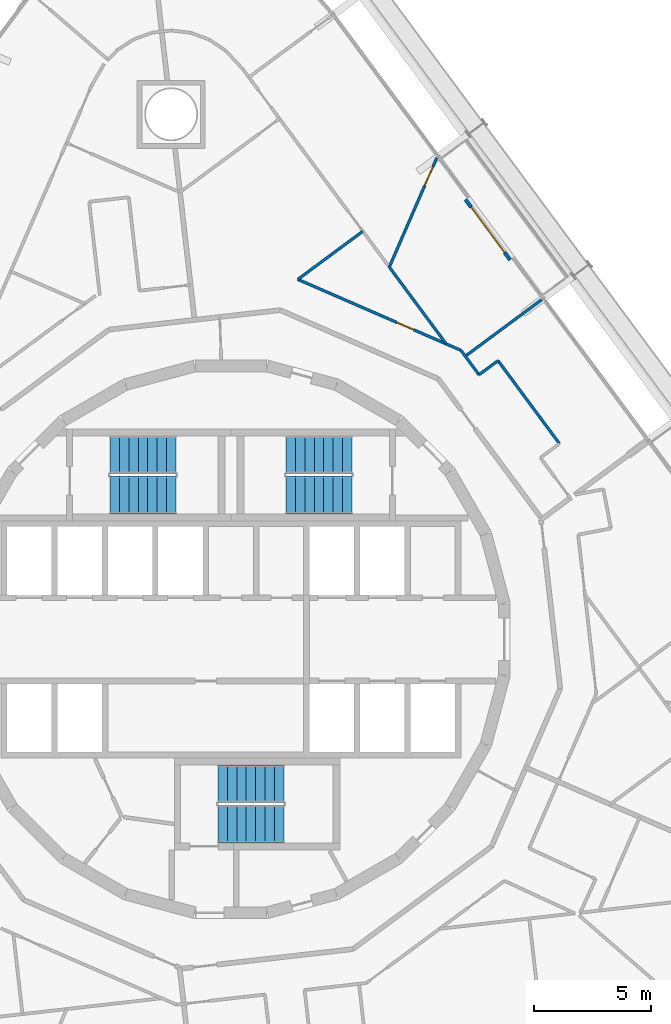
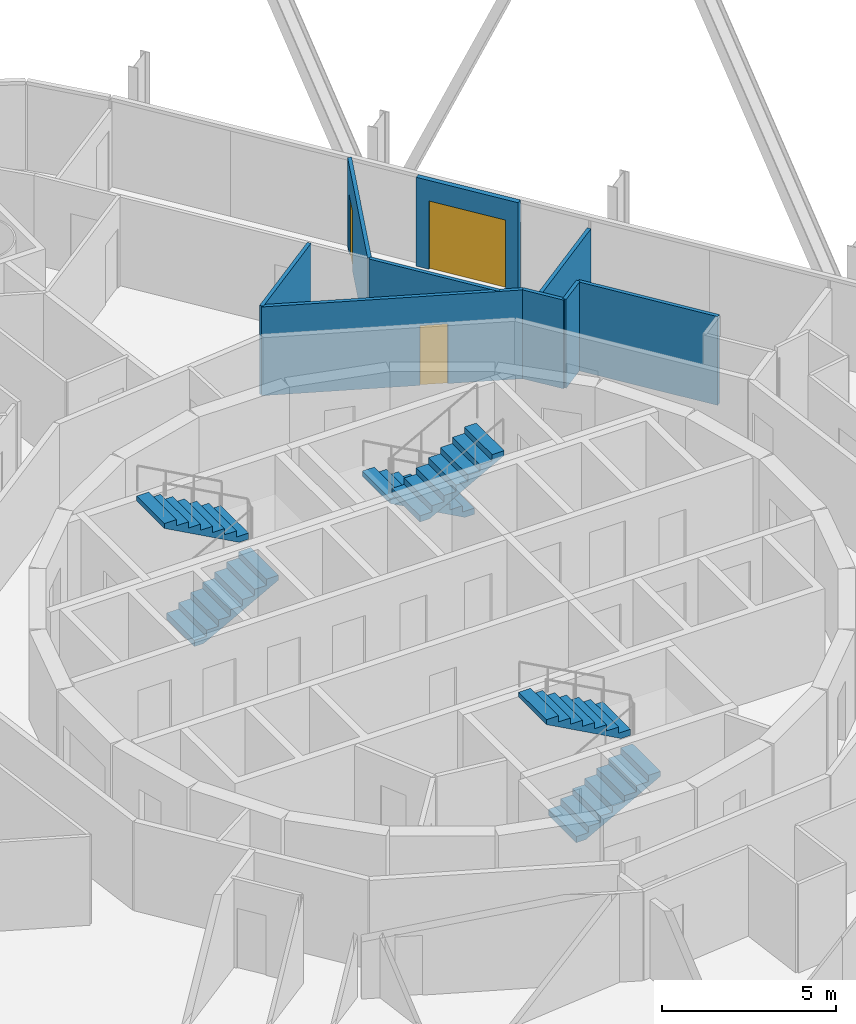
# One storey, part 22 of 23: 9 walls, 6 stair flights, 3 doors, 3 openings, 3 elements without a shape of their own.
"""IFC4 building model written with IfcOpenShell, lengths in metres."""

from ifc_helpers import new_model, si_unit, direction, frame, frame_2d, origin, place, context, subcontext, project, spatial, polyline, rectangle, outline, extrude, material, layer, layer_set, type_object, element, fill, aggregate, save


model = new_model("IFC4")

# Units and contexts
model_context = context("Model", 3, precision=1e-05, world=origin(), true_north=direction((0.0, 1.0)))
body_context = subcontext(model_context, "Body", "Model", "MODEL_VIEW")
ifc_project = project(units=[si_unit("LENGTHUNIT", "METRE"), si_unit("AREAUNIT", "SQUARE_METRE"), si_unit("VOLUMEUNIT", "CUBIC_METRE"), si_unit("PLANEANGLEUNIT", "RADIAN"), si_unit("MASSUNIT", "GRAM", prefix="KILO")], contexts=[model_context])

# Site, building, storey
site_placement = place(None, origin())
site = spatial("IfcSite", under=ifc_project, at=site_placement, CompositionType="ELEMENT")
building_placement = place(site_placement, origin())
building = spatial("IfcBuilding", under=site, at=building_placement, Name="Spindle Arch Residences", CompositionType="ELEMENT")
storey_placement = place(building_placement, frame((0.0, 0.0, 90.699951171875)))
storey = spatial("IfcBuildingStorey", under=building, at=storey_placement, Name="L21", CompositionType="ELEMENT", Elevation=90.699951171875)

# Walls
ifc_material_1 = material(Name="Plasterboard on steel studs", Category="steel")
ifc_layer_1 = layer(ifc_material_1, 0.1201171875)
ifc_layer_set_1 = layer_set([ifc_layer_1], Name="Flat partition 120")
wall_type_1 = type_object("IfcWallType", Name="Flat partition 120", PredefinedType="PARTITIONING", material=ifc_layer_set_1)
wall_1_placement = place(storey_placement, frame((13.9951171875, 8.335693359375, 0.0), z_axis=(0.0, 0.0, 1.0), x_axis=(-0.59480284986, 0.803871612758, 0.0)))
element("IfcWall", 1, at=wall_1_placement, inside=storey, type_object=wall_type_1, Name="Flat partition R2B0-W030", PredefinedType="PARTITIONING", context=body_context, shape_type="SweptSolid", body=[
    extrude(rectangle(XDim=4.400146484375, YDim=0.1201171875, at=frame_2d((2.2001953125, 0.0))), origin(), (0.0, 0.0, 1.0), 3.1201171875),
])
wall_2_placement = place(storey_placement, frame((11.3779296875, 11.872802734375, 0.0), z_axis=(0.0, 0.0, 1.0), x_axis=(-0.803818744753, -0.594874293934, 0.0)))
element("IfcWall", 2, at=wall_2_placement, inside=storey, type_object=wall_type_1, Name="Flat partition R2B0-W031", PredefinedType="PARTITIONING", context=body_context, shape_type="SweptSolid", body=[
    extrude(rectangle(XDim=1.00830078125, YDim=0.1201171875, at=frame_2d((0.504150390625, 0.0))), origin(), (0.0, 0.0, 1.0), 3.1201171875),
])
wall_3_placement = place(storey_placement, frame((10.5673828125, 11.27294921875, 0.0), z_axis=(0.0, 0.0, 1.0), x_axis=(-0.594957357743, 0.803757265888, 0.0)))
element("IfcWall", 3, at=wall_3_placement, inside=storey, type_object=wall_type_1, Name="Flat partition R2B0-W032", PredefinedType="PARTITIONING", context=body_context, shape_type="SweptSolid", body=[
    extrude(rectangle(XDim=1.296630859375, YDim=0.1201171875, at=frame_2d((0.6484375, 0.0))), origin(), (0.0, 0.0, 1.0), 3.1201171875),
])

# Wall, opening, door
wall_4_placement = place(storey_placement, frame((9.7958984375, 12.315185546875, 0.0), z_axis=(0.0, 0.0, 1.0), x_axis=(-0.917053660722, 0.398763819017, 0.0)))
wall_4 = element("IfcWall", 4, at=wall_4_placement, inside=storey, type_object=wall_type_1, Name="Flat partition R2B0-W033", PredefinedType="PARTITIONING", context=body_context, shape_type="SweptSolid", body=[
    extrude(rectangle(XDim=7.575927734375, YDim=0.1201171875, at=frame_2d((3.7880859375, 0.0))), origin(), (0.0, 0.0, 1.0), 3.1201171875),
])
opening_1_placement = place(wall_4_placement, frame((2.184814453125, 0.0, 0.0)))
opening_1 = element("IfcOpeningElement", 5, at=opening_1_placement, cuts=wall_4, Name="Opening R2B0-BD01", PredefinedType="OPENING", context=body_context, shape_type="SweptSolid", body=[
    extrude(rectangle(XDim=0.800048828125, YDim=2.10009765625, at=frame_2d((0.39990234375, 1.050048828125))), frame((0.0, 0.070068359375, 0.0), z_axis=(0.0, -1.0, 0.0), x_axis=(1.0, 0.0, 0.0)), (0.0, 0.0, 1.0), 0.14013671875),
])
ifc_material_2 = material(Name="Timber door set", Category="wood")
door_type_1 = type_object("IfcDoorType", Name="Bathroom door 800x2100", OperationType="NOTDEFINED", PredefinedType="DOOR", material=ifc_material_2)
door_1_placement = place(opening_1_placement, origin())
door_1 = element("IfcDoor", 6, at=door_1_placement, inside=storey, type_object=door_type_1, Name="Bathroom door R2B0-BD01", OperationType="SINGLE_SWING_RIGHT", OverallHeight=2.10009765625, OverallWidth=0.800048828125, PredefinedType="DOOR", context=body_context, shape_type="SweptSolid", body=[
    extrude(rectangle(XDim=0.800048828125, YDim=2.10009765625, at=frame_2d((0.39990234375, 1.050048828125))), frame((0.0, 0.02490234375, 0.0), z_axis=(0.0, -1.0, 0.0), x_axis=(1.0, 0.0, 0.0)), (0.0, 0.0, 1.0), 0.050048828125),
])
fill(opening_1, door_1)

# Walls
wall_5_placement = place(storey_placement, frame((2.848388671875, 15.336181640625, 0.0), z_axis=(0.0, 0.0, 1.0), x_axis=(0.803852063114, 0.59482927015, 0.0)))
element("IfcWall", 7, at=wall_5_placement, inside=storey, type_object=wall_type_1, Name="Flat partition R2B0-W034", PredefinedType="PARTITIONING", context=body_context, shape_type="SweptSolid", body=[
    extrude(rectangle(XDim=3.445556640625, YDim=0.1201171875, at=frame_2d((1.72265625, 0.0))), origin(), (0.0, 0.0, 1.0), 3.1201171875),
])
wall_6_placement = place(storey_placement, frame((6.745849609375, 15.861572265625, 0.0), z_axis=(0.0, 0.0, 1.0), x_axis=(0.594836031811, -0.80384705962, 0.0)))
element("IfcWall", 8, at=wall_6_placement, inside=storey, type_object=wall_type_1, Name="Flat partition R2B0-W038", PredefinedType="PARTITIONING", context=body_context, shape_type="SweptSolid", body=[
    extrude(rectangle(XDim=4.072021484375, YDim=0.1201171875, at=frame_2d((2.0361328125, 0.0))), origin(), (0.0, 0.0, 1.0), 3.1201171875),
])

# Wall, opening, door
wall_7_placement = place(storey_placement, frame((8.771728515625, 20.52099609375, 0.0), z_axis=(0.0, 0.0, 1.0), x_axis=(-0.398733139635, -0.917067000473, 0.0)))
wall_7 = element("IfcWall", 9, at=wall_7_placement, inside=storey, type_object=wall_type_1, Name="Flat partition R2B0-W039", PredefinedType="PARTITIONING", context=body_context, shape_type="SweptSolid", body=[
    extrude(rectangle(XDim=5.080810546875, YDim=0.1201171875, at=frame_2d((2.54052734375, 0.0))), origin(), (0.0, 0.0, 1.0), 3.1201171875),
])
opening_2_placement = place(wall_7_placement, frame((0.39990234375, 0.0, 0.0)))
opening_2 = element("IfcOpeningElement", 10, at=opening_2_placement, cuts=wall_7, Name="Opening R2B0-ID04", PredefinedType="OPENING", context=body_context, shape_type="SweptSolid", body=[
    extrude(rectangle(XDim=0.89990234375, YDim=2.10009765625, at=frame_2d((0.449951171875, 1.050048828125))), frame((0.0, 0.070068359375, 0.0), z_axis=(0.0, -1.0, 0.0), x_axis=(1.0, 0.0, 0.0)), (0.0, 0.0, 1.0), 0.14013671875),
])
ifc_material_3 = material(Name="Timber door set", Category="wood")
door_type_2 = type_object("IfcDoorType", Name="Room door 900x2100", OperationType="NOTDEFINED", PredefinedType="DOOR", material=ifc_material_3)
door_2_placement = place(opening_2_placement, origin())
door_2 = element("IfcDoor", 11, at=door_2_placement, inside=storey, type_object=door_type_2, Name="Room door R2B0-ID04", OperationType="SINGLE_SWING_LEFT", OverallHeight=2.10009765625, OverallWidth=0.89990234375, PredefinedType="DOOR", context=body_context, shape_type="SweptSolid", body=[
    extrude(rectangle(XDim=0.89990234375, YDim=2.10009765625, at=frame_2d((0.449951171875, 1.050048828125))), frame((0.0, 0.02490234375, 0.0), z_axis=(0.0, -1.0, 0.0), x_axis=(1.0, 0.0, 0.0)), (0.0, 0.0, 1.0), 0.050048828125),
])
fill(opening_2, door_2)

# Wall
ifc_material_4 = material(Name="Plasterboard on steel studs", Category="steel")
ifc_layer_2 = layer(ifc_material_4, 0.1201171875)
ifc_layer_set_2 = layer_set([ifc_layer_2], Name="Flat partition 120 under beam 2730")
wall_type_2 = type_object("IfcWallType", Name="Flat partition 120 under beam 2730", PredefinedType="PARTITIONING", material=ifc_layer_set_2)
wall_8_placement = place(storey_placement, frame((13.244140625, 14.476806640625, 0.0), z_axis=(0.0, 0.0, 1.0), x_axis=(-0.803853407146, -0.594827453821, 0.0)))
element("IfcWall", 12, at=wall_8_placement, inside=storey, type_object=wall_type_2, Name="Flat partition R2B0-W037", PredefinedType="PARTITIONING", context=body_context, shape_type="SweptSolid", body=[
    extrude(rectangle(XDim=4.0576171875, YDim=0.1201171875, at=frame_2d((2.02880859375, 0.0))), origin(), (0.0, 0.0, 1.0), 2.72998046875),
])

# Wall, opening, door
ifc_material_5 = material(Name="Non-combustible mineral wool insulated aluminium faced external wall (K0)", Category="aluminium")
ifc_layer_3 = layer(ifc_material_5, 0.159912109375)
ifc_layer_set_3 = layer_set([ifc_layer_3], Name="Insulated external wall panel 160")
wall_type_3 = type_object("IfcWallType", Name="Insulated external wall panel 160", PredefinedType="STANDARD", material=ifc_layer_set_3)
wall_9_placement = place(storey_placement, frame((11.895263671875, 16.1650390625, 0.0), z_axis=(0.0, 0.0, 1.0), x_axis=(-0.594774973163, 0.803892238611, 0.0)))
wall_9 = element("IfcWall", 13, at=wall_9_placement, inside=storey, type_object=wall_type_3, Name="External wall L21 bay 9", PredefinedType="STANDARD", context=body_context, shape_type="SweptSolid", body=[
    extrude(rectangle(XDim=3.199951171875, YDim=0.159912109375, at=frame_2d((1.60009765625, 0.0))), origin(), (0.0, 0.0, 1.0), 3.1201171875),
])
opening_3_placement = place(wall_9_placement, frame((0.39990234375, 0.0, 0.0)))
opening_3 = element("IfcOpeningElement", 14, at=opening_3_placement, cuts=wall_9, Name="Opening BD09", PredefinedType="OPENING", context=body_context, shape_type="SweptSolid", body=[
    extrude(rectangle(XDim=2.39990234375, YDim=2.39990234375, at=frame_2d((1.199951171875, 1.199951171875))), frame((0.0, 0.08984375, 0.0), z_axis=(0.0, -1.0, 0.0), x_axis=(1.0, 0.0, 0.0)), (0.0, 0.0, 1.0), 0.179931640625),
])
ifc_material_6 = material(Name="Bronze aluminium frame, tinted double glazing", Category="aluminium")
door_type_3 = type_object("IfcDoorType", Name="Sliding glazed balcony door 2400x2400", OperationType="DOUBLE_DOOR_SLIDING", PredefinedType="DOOR", material=ifc_material_6)
door_3_placement = place(opening_3_placement, origin())
door_3 = element("IfcDoor", 15, at=door_3_placement, inside=storey, type_object=door_type_3, Name="Balcony door BD09", OperationType="DOUBLE_DOOR_SLIDING", OverallHeight=2.39990234375, OverallWidth=2.39990234375, PredefinedType="DOOR", context=body_context, shape_type="SweptSolid", body=[
    extrude(rectangle(XDim=2.39990234375, YDim=2.39990234375, at=frame_2d((1.199951171875, 1.199951171875))), frame((0.0, 0.02490234375, 0.0), z_axis=(0.0, -1.0, 0.0), x_axis=(1.0, 0.0, 0.0)), (0.0, 0.0, 1.0), 0.050048828125),
])
fill(opening_3, door_3)

# Stair, stair flights
ifc_material_7 = material(Name="Concrete C50/60", Category="concrete")
stair_type = type_object("IfcStairType", Name="Exit stair 16 risers", PredefinedType="HALF_TURN_STAIR", material=ifc_material_7)
stair_1_placement = place(storey_placement, origin())
stair_1 = element("IfcStair", 16, at=stair_1_placement, inside=storey, type_object=stair_type, Name="L21 Exit stair ST1", PredefinedType="HALF_TURN_STAIR")
ifc_material_8 = material(Name="Concrete C50/60", Category="concrete")
stair_flight_type = type_object("IfcStairFlightType", Name="Exit stair flight", PredefinedType="STRAIGHT", material=ifc_material_8)
stair_flight_1_placement = place(storey_placement, frame((5.14990234375, 7.8701171875, 0.0), z_axis=(0.0, 0.0, 1.0), x_axis=(-1.0, 0.0, 0.0)))
stair_flight_1 = element("IfcStairFlight", 17, at=stair_flight_1_placement, type_object=stair_flight_type, Name="ST1 flight 1", NumberOfRisers=8, NumberOfTreads=7, PredefinedType="STRAIGHT", RiserHeight=0.21875, TreadLength=0.4, context=body_context, shape_type="SweptSolid", body=[
    extrude(outline(polyline([(0.0, 0.0), (0.0, 0.21875), (0.39990234375, 0.21875), (0.39990234375, 0.4375), (0.800048828125, 0.4375), (0.800048828125, 0.65625), (1.199951171875, 0.65625), (1.199951171875, 0.875), (1.60009765625, 0.875), (1.60009765625, 1.09375), (2.0, 1.09375), (2.0, 1.3125), (2.39990234375, 1.3125), (2.39990234375, 1.53125), (2.800048828125, 1.53125), (2.800048828125, 1.75), (2.800048828125, 1.3603515625), (0.3125, 0.0), (0.0, 0.0)])), frame((0.0, 0.800048828125, 0.0), z_axis=(0.0, -1.0, 0.0), x_axis=(1.0, 0.0, 0.0)), (0.0, 0.0, 1.0), 1.60009765625),
])
stair_flight_2_placement = place(storey_placement, frame((2.35009765625, 6.14990234375, 1.75), z_axis=(0.0, 0.0, 1.0), x_axis=(1.0, 0.0, 0.0)))
stair_flight_2 = element("IfcStairFlight", 18, at=stair_flight_2_placement, type_object=stair_flight_type, Name="ST1 flight 2", NumberOfRisers=8, NumberOfTreads=7, PredefinedType="STRAIGHT", RiserHeight=0.21875, TreadLength=0.4, context=body_context, shape_type="SweptSolid", body=[
    extrude(outline(polyline([(0.0, 0.0), (0.0, 0.21875), (0.39990234375, 0.21875), (0.39990234375, 0.4375), (0.800048828125, 0.4375), (0.800048828125, 0.65625), (1.199951171875, 0.65625), (1.199951171875, 0.875), (1.60009765625, 0.875), (1.60009765625, 1.09375), (2.0, 1.09375), (2.0, 1.3125), (2.39990234375, 1.3125), (2.39990234375, 1.53125), (2.800048828125, 1.53125), (2.800048828125, 1.75), (2.800048828125, 1.3603515625), (0.3125, 0.0), (0.0, 0.0)])), frame((0.0, 0.800048828125, 0.0), z_axis=(0.0, -1.0, 0.0), x_axis=(1.0, 0.0, 0.0)), (0.0, 0.0, 1.0), 1.60009765625),
])
aggregate(stair_1, [stair_flight_1, stair_flight_2])

stair_2_placement = place(storey_placement, origin())
stair_2 = element("IfcStair", 19, at=stair_2_placement, inside=storey, type_object=stair_type, Name="L21 Exit stair ST2", PredefinedType="HALF_TURN_STAIR")
stair_flight_3_placement = place(storey_placement, frame((-5.14990234375, 6.14990234375, 0.0), z_axis=(0.0, 0.0, 1.0), x_axis=(1.0, 0.0, 0.0)))
stair_flight_3 = element("IfcStairFlight", 20, at=stair_flight_3_placement, type_object=stair_flight_type, Name="ST2 flight 1", NumberOfRisers=8, NumberOfTreads=7, PredefinedType="STRAIGHT", RiserHeight=0.21875, TreadLength=0.4, context=body_context, shape_type="SweptSolid", body=[
    extrude(outline(polyline([(0.0, 0.0), (0.0, 0.21875), (0.39990234375, 0.21875), (0.39990234375, 0.4375), (0.800048828125, 0.4375), (0.800048828125, 0.65625), (1.199951171875, 0.65625), (1.199951171875, 0.875), (1.60009765625, 0.875), (1.60009765625, 1.09375), (2.0, 1.09375), (2.0, 1.3125), (2.39990234375, 1.3125), (2.39990234375, 1.53125), (2.800048828125, 1.53125), (2.800048828125, 1.75), (2.800048828125, 1.3603515625), (0.3125, 0.0), (0.0, 0.0)])), frame((0.0, 0.800048828125, 0.0), z_axis=(0.0, -1.0, 0.0), x_axis=(1.0, 0.0, 0.0)), (0.0, 0.0, 1.0), 1.60009765625),
])
stair_flight_4_placement = place(storey_placement, frame((-2.35009765625, 7.8701171875, 1.75), z_axis=(0.0, 0.0, 1.0), x_axis=(-1.0, 0.0, 0.0)))
stair_flight_4 = element("IfcStairFlight", 21, at=stair_flight_4_placement, type_object=stair_flight_type, Name="ST2 flight 2", NumberOfRisers=8, NumberOfTreads=7, PredefinedType="STRAIGHT", RiserHeight=0.21875, TreadLength=0.4, context=body_context, shape_type="SweptSolid", body=[
    extrude(outline(polyline([(0.0, 0.0), (0.0, 0.21875), (0.39990234375, 0.21875), (0.39990234375, 0.4375), (0.800048828125, 0.4375), (0.800048828125, 0.65625), (1.199951171875, 0.65625), (1.199951171875, 0.875), (1.60009765625, 0.875), (1.60009765625, 1.09375), (2.0, 1.09375), (2.0, 1.3125), (2.39990234375, 1.3125), (2.39990234375, 1.53125), (2.800048828125, 1.53125), (2.800048828125, 1.75), (2.800048828125, 1.3603515625), (0.3125, 0.0), (0.0, 0.0)])), frame((0.0, 0.800048828125, 0.0), z_axis=(0.0, -1.0, 0.0), x_axis=(1.0, 0.0, 0.0)), (0.0, 0.0, 1.0), 1.60009765625),
])
aggregate(stair_2, [stair_flight_3, stair_flight_4])

stair_3_placement = place(storey_placement, origin())
stair_3 = element("IfcStair", 22, at=stair_3_placement, inside=storey, type_object=stair_type, Name="L21 Exit stair ST3", PredefinedType="HALF_TURN_STAIR")
stair_flight_5_placement = place(storey_placement, frame((-0.550048828125, -7.8701171875, 0.0), z_axis=(0.0, 0.0, 1.0), x_axis=(1.0, 0.0, 0.0)))
stair_flight_5 = element("IfcStairFlight", 23, at=stair_flight_5_placement, type_object=stair_flight_type, Name="ST3 flight 1", NumberOfRisers=8, NumberOfTreads=7, PredefinedType="STRAIGHT", RiserHeight=0.21875, TreadLength=0.4, context=body_context, shape_type="SweptSolid", body=[
    extrude(outline(polyline([(0.0, 0.0), (0.0, 0.21875), (0.39990234375, 0.21875), (0.39990234375, 0.4375), (0.800048828125, 0.4375), (0.800048828125, 0.65625), (1.199951171875, 0.65625), (1.199951171875, 0.875), (1.60009765625, 0.875), (1.60009765625, 1.09375), (2.0, 1.09375), (2.0, 1.3125), (2.39990234375, 1.3125), (2.39990234375, 1.53125), (2.800048828125, 1.53125), (2.800048828125, 1.75), (2.800048828125, 1.3603515625), (0.3125, 0.0), (0.0, 0.0)])), frame((0.0, 0.800048828125, 0.0), z_axis=(0.0, -1.0, 0.0), x_axis=(1.0, 0.0, 0.0)), (0.0, 0.0, 1.0), 1.60009765625),
])
stair_flight_6_placement = place(storey_placement, frame((2.25, -6.14990234375, 1.75), z_axis=(0.0, 0.0, 1.0), x_axis=(-1.0, 0.0, 0.0)))
stair_flight_6 = element("IfcStairFlight", 24, at=stair_flight_6_placement, type_object=stair_flight_type, Name="ST3 flight 2", NumberOfRisers=8, NumberOfTreads=7, PredefinedType="STRAIGHT", RiserHeight=0.21875, TreadLength=0.4, context=body_context, shape_type="SweptSolid", body=[
    extrude(outline(polyline([(0.0, 0.0), (0.0, 0.21875), (0.39990234375, 0.21875), (0.39990234375, 0.4375), (0.800048828125, 0.4375), (0.800048828125, 0.65625), (1.199951171875, 0.65625), (1.199951171875, 0.875), (1.60009765625, 0.875), (1.60009765625, 1.09375), (2.0, 1.09375), (2.0, 1.3125), (2.39990234375, 1.3125), (2.39990234375, 1.53125), (2.800048828125, 1.53125), (2.800048828125, 1.75), (2.800048828125, 1.3603515625), (0.3125, 0.0), (0.0, 0.0)])), frame((0.0, 0.800048828125, 0.0), z_axis=(0.0, -1.0, 0.0), x_axis=(1.0, 0.0, 0.0)), (0.0, 0.0, 1.0), 1.60009765625),
])
aggregate(stair_3, [stair_flight_5, stair_flight_6])

save(model, "model.ifc")
